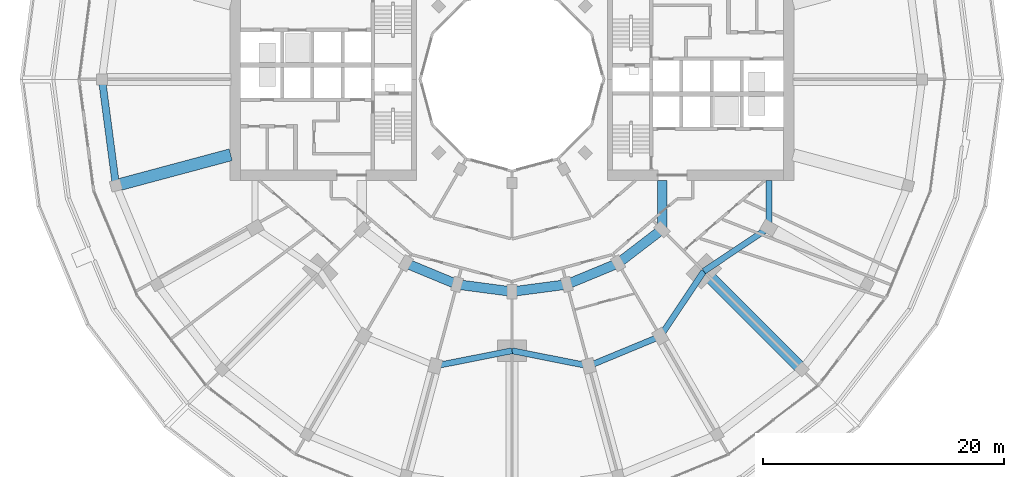
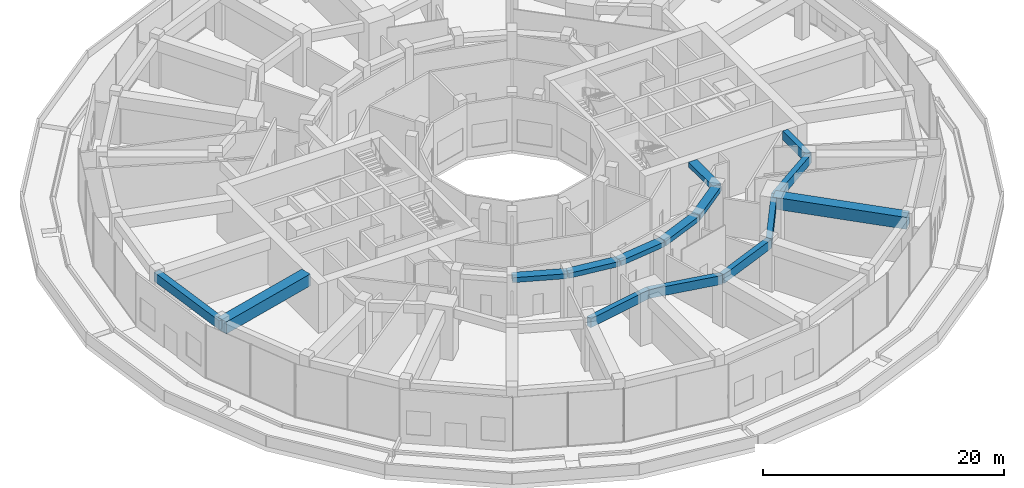
# One storey, part 7 of 26: 15 beams.
"""IFC4 building model written with IfcOpenShell, lengths in metres."""

from ifc_helpers import new_model, si_unit, direction, frame, origin, origin_2d, place, context, subcontext, project, spatial, rectangle, extrude, material, material_profile, profile_set, type_object, element, save


model = new_model("IFC4")

# Units and contexts
model_context = context("Model", 3, precision=1e-05, world=origin(), true_north=direction((0.0, 1.0)))
body_context = subcontext(model_context, "Body", "Model", "MODEL_VIEW")
ifc_project = project(units=[si_unit("LENGTHUNIT", "METRE"), si_unit("AREAUNIT", "SQUARE_METRE"), si_unit("VOLUMEUNIT", "CUBIC_METRE"), si_unit("PLANEANGLEUNIT", "RADIAN"), si_unit("MASSUNIT", "GRAM", prefix="KILO")], contexts=[model_context])

# Site, building, storey
site_placement = place(None, origin())
site = spatial("IfcSite", under=ifc_project, at=site_placement, CompositionType="ELEMENT")
building_placement = place(site_placement, origin())
building = spatial("IfcBuilding", under=site, at=building_placement, Name="Torre Brocal", CompositionType="ELEMENT")
storey_placement = place(building_placement, frame((0.0, 0.0, 12.39990234375)))
storey = spatial("IfcBuildingStorey", under=building, at=storey_placement, Name="L02", CompositionType="ELEMENT", Elevation=12.39990234375)

# Beams
ifc_material_1 = material(Name="Concrete C50", Category="concrete")
ifc_material_profile_1 = material_profile(ifc_material_1, rectangle(XDim=0.60009765625, YDim=0.89990234375, at=origin_2d()), Name="RC 600X900")
ifc_profile_set_1 = profile_set([ifc_material_profile_1], Name="Concrete C50")
beam_type_1 = type_object("IfcBeamType", Name="RC BEAM 600X900 C50 TOP 4950", PredefinedType="BEAM", material=ifc_profile_set_1)
beam_1_placement = place(storey_placement, frame((46.0, 75.0, 4.5), z_axis=(0.130518550679, -0.991445867372, 0.0), x_axis=(0.991445867372, 0.130518550679, 0.0)))
element("IfcBeam", 1, at=beam_1_placement, inside=storey, type_object=beam_type_1, Name="Beam BT-10", PredefinedType="BEAM", context=body_context, shape_type="SweptSolid", body=[
    extrude(rectangle(XDim=0.60009765625, YDim=0.89990234375, at=origin_2d()), origin(), (0.0, 0.0, 1.0), 8.875732421875),
])
ifc_material_2 = material(Name="Concrete C50", Category="concrete")
ifc_material_profile_2 = material_profile(ifc_material_2, rectangle(XDim=0.800048828125, YDim=0.5, at=origin_2d()), Name="RC 800X500")
ifc_profile_set_2 = profile_set([ifc_material_profile_2], Name="Concrete C50")
beam_type_2 = type_object("IfcBeamType", Name="RC BEAM 800X500 C50 TOP 4950", PredefinedType="BEAM", material=ifc_profile_set_2)
beam_2_placement = place(storey_placement, frame((71.199951171875, 59.758056640625, 4.7001953125), z_axis=(0.923878240166, -0.382686552348, 0.0), x_axis=(0.382686552348, 0.923878240166, 0.0)))
element("IfcBeam", 2, at=beam_2_placement, inside=storey, type_object=beam_type_2, Name="Beam BT-11", PredefinedType="BEAM", context=body_context, shape_type="SweptSolid", body=[
    extrude(rectangle(XDim=0.800048828125, YDim=0.5, at=origin_2d()), origin(), (0.0, 0.0, 1.0), 4.5947265625),
])
for number, where, z_axis, x_axis, name in (
    (3, (75.44482421875, 57.999755859375, 4.7001953125), (0.991440544449, -0.130558978332, 0.0), (0.130558978332, 0.991440544449, 0.0), "Beam BT-11"),
    (4, (80.0, 57.39990234375, 4.7001953125), (0.991440544449, 0.130558978332, 0.0), (-0.130558978332, 0.991440544449, 0.0), "Beam BT-11"),
):
    element("IfcBeam", number, at=place(storey_placement, frame(where, z_axis=z_axis, x_axis=x_axis)), inside=storey, type_object=beam_type_2, Name=name, PredefinedType="BEAM", context=body_context, shape_type="SweptSolid", body=[
        extrude(rectangle(XDim=0.800048828125, YDim=0.5, at=origin_2d()), origin(), (0.0, 0.0, 1.0), 4.594482421875),
    ])
beam_3_placement = place(storey_placement, frame((84.55517578125, 57.999755859375, 4.7001953125), z_axis=(0.923878240166, 0.382686552348, 0.0), x_axis=(-0.382686552348, 0.923878240166, 0.0)))
element("IfcBeam", 5, at=beam_3_placement, inside=storey, type_object=beam_type_2, Name="Beam BT-11", PredefinedType="BEAM", context=body_context, shape_type="SweptSolid", body=[
    extrude(rectangle(XDim=0.800048828125, YDim=0.5, at=origin_2d()), origin(), (0.0, 0.0, 1.0), 4.5947265625),
])
beam_4_placement = place(storey_placement, frame((88.800048828125, 59.758056640625, 4.7001953125), z_axis=(0.793358265959, 0.6087550097, 0.0), x_axis=(-0.6087550097, 0.793358265959, 0.0)))
element("IfcBeam", 6, at=beam_4_placement, inside=storey, type_object=beam_type_2, Name="Beam BT-11", PredefinedType="BEAM", context=body_context, shape_type="SweptSolid", body=[
    extrude(rectangle(XDim=0.800048828125, YDim=0.5, at=origin_2d()), origin(), (0.0, 0.0, 1.0), 4.594482421875),
])
beam_5_placement = place(storey_placement, frame((92.445068359375, 62.554931640625, 4.7001953125), z_axis=(0.0, 1.0, 0.0), x_axis=(-1.0, 0.0, 0.0)))
element("IfcBeam", 7, at=beam_5_placement, inside=storey, type_object=beam_type_2, Name="Beam BT-11", PredefinedType="BEAM", context=body_context, shape_type="SweptSolid", body=[
    extrude(rectangle(XDim=0.800048828125, YDim=0.5, at=origin_2d()), origin(), (0.0, 0.0, 1.0), 4.045166015625),
])
ifc_material_3 = material(Name="Concrete C50", Category="concrete")
ifc_material_profile_3 = material_profile(ifc_material_3, rectangle(XDim=0.5, YDim=0.89990234375, at=origin_2d()), Name="RC 500X900")
ifc_profile_set_3 = profile_set([ifc_material_profile_3], Name="Concrete C50")
beam_type_3 = type_object("IfcBeamType", Name="RC SPANDREL BEAM 500X900 C50 TOP 4950", PredefinedType="SPANDREL", material=ifc_profile_set_3)
for number, where, z_axis, x_axis, name in (
    (8, (73.633056640625, 51.23828125, 4.5), (0.980924907484, 0.194387051723, 0.0), (-0.194387051723, 0.980924907484, 0.0), "Beam BT-12"),
    (9, (80.0, 52.5, 4.5), (0.980924907484, -0.194387051723, 0.0), (0.194387051723, 0.980924907484, 0.0), "Beam BT-12"),
):
    element("IfcBeam", number, at=place(storey_placement, frame(where, z_axis=z_axis, x_axis=x_axis)), inside=storey, type_object=beam_type_3, Name=name, PredefinedType="SPANDREL", context=body_context, shape_type="SweptSolid", body=[
        extrude(rectangle(XDim=0.5, YDim=0.89990234375, at=origin_2d()), origin(), (0.0, 0.0, 1.0), 6.49072265625),
    ])
beam_6_placement = place(storey_placement, frame((86.366943359375, 51.23828125, 4.5), z_axis=(0.923882462513, 0.382676358639, 0.0), x_axis=(-0.382676358639, 0.923882462513, 0.0)))
element("IfcBeam", 10, at=beam_6_placement, inside=storey, type_object=beam_type_3, Name="Beam BT-12", PredefinedType="SPANDREL", context=body_context, shape_type="SweptSolid", body=[
    extrude(rectangle(XDim=0.5, YDim=0.89990234375, at=origin_2d()), origin(), (0.0, 0.0, 1.0), 6.421875),
])
for number, where, z_axis, x_axis, name in (
    (11, (92.300048828125, 53.69580078125, 4.5), (0.556157602282, 0.831076844476, 0.0), (-0.831076844476, 0.556157602282, 0.0), "Beam BT-12"),
    (12, (95.909912109375, 59.090087890625, 4.5), (0.831076844476, 0.556157602282, 0.0), (-0.556157602282, 0.831076844476, 0.0), "Beam BT-12"),
):
    element("IfcBeam", number, at=place(storey_placement, frame(where, z_axis=z_axis, x_axis=x_axis)), inside=storey, type_object=beam_type_3, Name=name, PredefinedType="SPANDREL", context=body_context, shape_type="SweptSolid", body=[
        extrude(rectangle(XDim=0.5, YDim=0.89990234375, at=origin_2d()), origin(), (0.0, 0.0, 1.0), 6.49072265625),
    ])
beam_7_placement = place(storey_placement, frame((101.30419921875, 62.699951171875, 4.5), z_axis=(0.0, 1.0, 0.0), x_axis=(-1.0, 0.0, 0.0)))
element("IfcBeam", 13, at=beam_7_placement, inside=storey, type_object=beam_type_3, Name="Beam BT-12", PredefinedType="SPANDREL", context=body_context, shape_type="SweptSolid", body=[
    extrude(rectangle(XDim=0.5, YDim=0.89990234375, at=origin_2d()), origin(), (0.0, 0.0, 1.0), 3.900146484375),
])
ifc_material_4 = material(Name="Concrete C60", Category="concrete")
ifc_material_profile_4 = material_profile(ifc_material_4, rectangle(XDim=1.0, YDim=1.199951171875, at=origin_2d()), Name="RC 1000X1200")
ifc_profile_set_4 = profile_set([ifc_material_profile_4], Name="Concrete C60")
beam_type_4 = type_object("IfcBeamType", Name="RC TRANSFER GIRDER 1000X1200 C60 TOP 4950", PredefinedType="BEAM", material=ifc_profile_set_4)
beam_8_placement = place(storey_placement, frame((56.6728515625, 68.74951171875, 4.35009765625), z_axis=(-0.965927362857, -0.258813310486, 0.0), x_axis=(0.258813310486, -0.965927362857, 0.0)))
element("IfcBeam", 14, at=beam_8_placement, inside=storey, type_object=beam_type_4, Name="Beam TG-03", PredefinedType="BEAM", context=body_context, shape_type="SweptSolid", body=[
    extrude(rectangle(XDim=1.0, YDim=1.199951171875, at=origin_2d()), origin(), (0.0, 0.0, 1.0), 9.85009765625),
])
beam_9_placement = place(storey_placement, frame((95.909912109375, 59.090087890625, 4.35009765625), z_axis=(0.707106781187, -0.707106781187, 0.0), x_axis=(0.707106781187, 0.707106781187, 0.0)))
element("IfcBeam", 15, at=beam_9_placement, inside=storey, type_object=beam_type_4, Name="Beam TG-03", PredefinedType="BEAM", context=body_context, shape_type="SweptSolid", body=[
    extrude(rectangle(XDim=1.0, YDim=1.199951171875, at=origin_2d()), origin(), (0.0, 0.0, 1.0), 11.500244140625),
])

save(model, "model.ifc")
